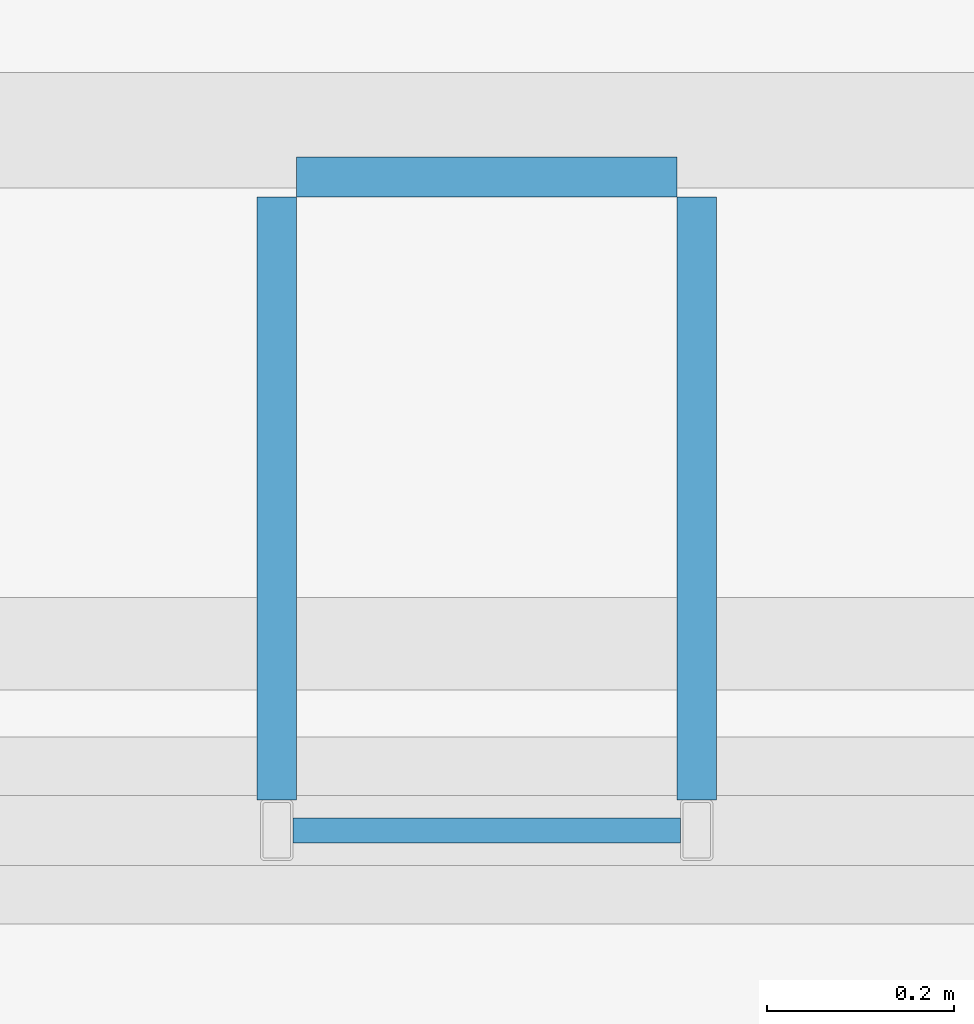
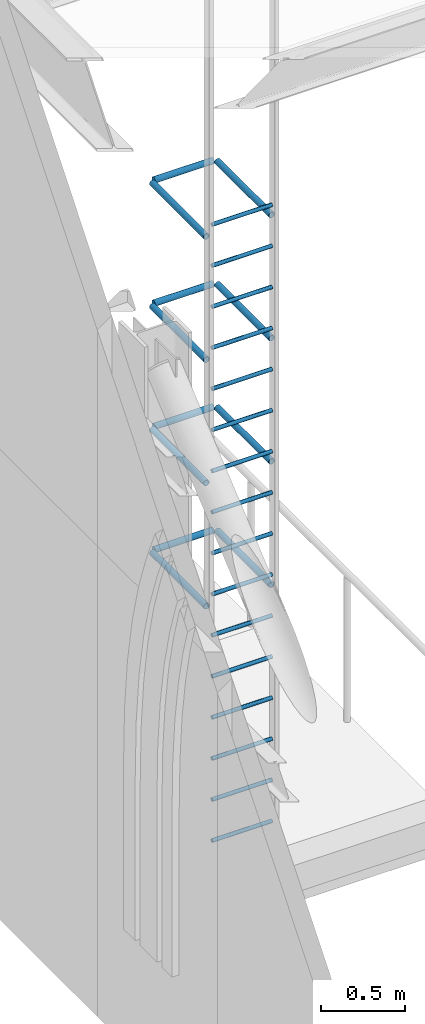
# One storey, part 12 of 43: 28 members.
"""IFC4 building model written with IfcOpenShell, lengths in metres."""

from ifc_helpers import new_model, si_unit, direction, frame, origin, origin_2d, place, context, subcontext, project, spatial, hollow_circle, extrude, material, material_profile, profile_set, type_object, element, save


model = new_model("IFC4")

# Units and contexts
model_context = context("Model", 3, precision=1e-05, world=origin(), true_north=direction((0.0, 1.0)))
body_context = subcontext(model_context, "Body", "Model", "MODEL_VIEW")
ifc_project = project(units=[si_unit("LENGTHUNIT", "METRE"), si_unit("AREAUNIT", "SQUARE_METRE"), si_unit("VOLUMEUNIT", "CUBIC_METRE"), si_unit("PLANEANGLEUNIT", "RADIAN"), si_unit("MASSUNIT", "GRAM", prefix="KILO")], contexts=[model_context])

# Site, building, storey
site_placement = place(None, origin())
site = spatial("IfcSite", under=ifc_project, at=site_placement, CompositionType="ELEMENT")
building_placement = place(site_placement, origin())
building = spatial("IfcBuilding", under=site, at=building_placement, Name="Saffron Lane Theatres", CompositionType="ELEMENT")
storey_placement = place(building_placement, frame((0.0, 0.0, 23.0)))
storey = spatial("IfcBuildingStorey", under=building, at=storey_placement, Name="Roof", CompositionType="ELEMENT", Elevation=23.0)

# Members
ifc_material_1 = material(Name="Steel Grade 350", Category="steel")
ifc_material_profile_1 = material_profile(ifc_material_1, hollow_circle(Radius=0.021240234375, WallThickness=0.002685546875, at=origin_2d()))
ifc_profile_set_1 = profile_set([ifc_material_profile_1], Name="Steel Grade 350")
member_type_1 = type_object("IfcMemberType", Name="ST-LADDER HOOP 42.4x2.6 CHS", PredefinedType="MEMBER", material=ifc_profile_set_1)
for number, where, z_axis, x_axis, name in (
    (1, (19.199951171875, 37.032470703125, 2.0), (0.0, 1.0, 0.0), (-1.0, 0.0, 0.0), "LH1a"),
    (2, (19.64990234375, 37.032470703125, 2.0), (0.0, 1.0, 0.0), (-1.0, 0.0, 0.0), "LH1b"),
):
    element("IfcMember", number, at=place(storey_placement, frame(where, z_axis=z_axis, x_axis=x_axis)), inside=storey, type_object=member_type_1, Name=name, PredefinedType="MEMBER", context=body_context, shape_type="SweptSolid", body=[
        extrude(hollow_circle(Radius=0.021240234375, WallThickness=0.002685546875, at=origin_2d()), origin(), (0.0, 0.0, 1.0), 0.646240234375),
    ])
member_1_placement = place(storey_placement, frame((19.22119140625, 37.699951171875, 2.0), z_axis=(1.0, 0.0, 0.0), x_axis=(0.0, 1.0, 0.0)))
element("IfcMember", 3, at=member_1_placement, inside=storey, type_object=member_type_1, Name="LH1c", PredefinedType="MEMBER", context=body_context, shape_type="SweptSolid", body=[
    extrude(hollow_circle(Radius=0.021240234375, WallThickness=0.002685546875, at=origin_2d()), origin(), (0.0, 0.0, 1.0), 0.40771484375),
])
for number, where, z_axis, x_axis, name in (
    (4, (19.199951171875, 37.032470703125, 2.89990234375), (0.0, 1.0, 0.0), (-1.0, 0.0, 0.0), "LH2a"),
    (5, (19.64990234375, 37.032470703125, 2.89990234375), (0.0, 1.0, 0.0), (-1.0, 0.0, 0.0), "LH2b"),
):
    element("IfcMember", number, at=place(storey_placement, frame(where, z_axis=z_axis, x_axis=x_axis)), inside=storey, type_object=member_type_1, Name=name, PredefinedType="MEMBER", context=body_context, shape_type="SweptSolid", body=[
        extrude(hollow_circle(Radius=0.021240234375, WallThickness=0.002685546875, at=origin_2d()), origin(), (0.0, 0.0, 1.0), 0.646240234375),
    ])
member_2_placement = place(storey_placement, frame((19.22119140625, 37.699951171875, 2.89990234375), z_axis=(1.0, 0.0, 0.0), x_axis=(0.0, 1.0, 0.0)))
element("IfcMember", 6, at=member_2_placement, inside=storey, type_object=member_type_1, Name="LH2c", PredefinedType="MEMBER", context=body_context, shape_type="SweptSolid", body=[
    extrude(hollow_circle(Radius=0.021240234375, WallThickness=0.002685546875, at=origin_2d()), origin(), (0.0, 0.0, 1.0), 0.40771484375),
])
for number, where, z_axis, x_axis, name in (
    (7, (19.199951171875, 37.032470703125, 3.800048828125), (0.0, 1.0, 0.0), (-1.0, 0.0, 0.0), "LH3a"),
    (8, (19.64990234375, 37.032470703125, 3.800048828125), (0.0, 1.0, 0.0), (-1.0, 0.0, 0.0), "LH3b"),
):
    element("IfcMember", number, at=place(storey_placement, frame(where, z_axis=z_axis, x_axis=x_axis)), inside=storey, type_object=member_type_1, Name=name, PredefinedType="MEMBER", context=body_context, shape_type="SweptSolid", body=[
        extrude(hollow_circle(Radius=0.021240234375, WallThickness=0.002685546875, at=origin_2d()), origin(), (0.0, 0.0, 1.0), 0.646240234375),
    ])
member_3_placement = place(storey_placement, frame((19.22119140625, 37.699951171875, 3.800048828125), z_axis=(1.0, 0.0, 0.0), x_axis=(0.0, 1.0, 0.0)))
element("IfcMember", 9, at=member_3_placement, inside=storey, type_object=member_type_1, Name="LH3c", PredefinedType="MEMBER", context=body_context, shape_type="SweptSolid", body=[
    extrude(hollow_circle(Radius=0.021240234375, WallThickness=0.002685546875, at=origin_2d()), origin(), (0.0, 0.0, 1.0), 0.40771484375),
])
for number, where, z_axis, x_axis, name in (
    (10, (19.199951171875, 37.032470703125, 4.699951171875), (0.0, 1.0, 0.0), (-1.0, 0.0, 0.0), "LH4a"),
    (11, (19.64990234375, 37.032470703125, 4.699951171875), (0.0, 1.0, 0.0), (-1.0, 0.0, 0.0), "LH4b"),
):
    element("IfcMember", number, at=place(storey_placement, frame(where, z_axis=z_axis, x_axis=x_axis)), inside=storey, type_object=member_type_1, Name=name, PredefinedType="MEMBER", context=body_context, shape_type="SweptSolid", body=[
        extrude(hollow_circle(Radius=0.021240234375, WallThickness=0.002685546875, at=origin_2d()), origin(), (0.0, 0.0, 1.0), 0.646240234375),
    ])
member_4_placement = place(storey_placement, frame((19.22119140625, 37.699951171875, 4.699951171875), z_axis=(1.0, 0.0, 0.0), x_axis=(0.0, 1.0, 0.0)))
element("IfcMember", 12, at=member_4_placement, inside=storey, type_object=member_type_1, Name="LH4c", PredefinedType="MEMBER", context=body_context, shape_type="SweptSolid", body=[
    extrude(hollow_circle(Radius=0.021240234375, WallThickness=0.002685546875, at=origin_2d()), origin(), (0.0, 0.0, 1.0), 0.40771484375),
])
ifc_material_2 = material(Name="Steel Grade 350", Category="steel")
ifc_material_profile_2 = material_profile(ifc_material_2, hollow_circle(Radius=0.013427734375, WallThickness=0.002685546875, at=origin_2d()))
ifc_profile_set_2 = profile_set([ifc_material_profile_2], Name="Steel Grade 350")
member_type_2 = type_object("IfcMemberType", Name="ST-LADDER RUNG 26.9x2.6 CHS", PredefinedType="STRUT", material=ifc_profile_set_2)
for number, where, z_axis, x_axis, name in (
    (13, (19.217529296875, 37.0, 0.300048828125), (1.0, 0.0, 0.0), (0.0, 1.0, 0.0), "LR1"),
    (14, (19.217529296875, 37.0, 0.60009765625), (1.0, 0.0, 0.0), (0.0, 1.0, 0.0), "LR2"),
    (15, (19.217529296875, 37.0, 0.89990234375), (1.0, 0.0, 0.0), (0.0, 1.0, 0.0), "LR3"),
    (16, (19.217529296875, 37.0, 1.199951171875), (1.0, 0.0, 0.0), (0.0, 1.0, 0.0), "LR4"),
    (17, (19.217529296875, 37.0, 1.5), (1.0, 0.0, 0.0), (0.0, 1.0, 0.0), "LR5"),
    (18, (19.217529296875, 37.0, 1.800048828125), (1.0, 0.0, 0.0), (0.0, 1.0, 0.0), "LR6"),
    (19, (19.217529296875, 37.0, 2.10009765625), (1.0, 0.0, 0.0), (0.0, 1.0, 0.0), "LR7"),
    (20, (19.217529296875, 37.0, 2.39990234375), (1.0, 0.0, 0.0), (0.0, 1.0, 0.0), "LR8"),
    (21, (19.217529296875, 37.0, 2.699951171875), (1.0, 0.0, 0.0), (0.0, 1.0, 0.0), "LR9"),
    (22, (19.217529296875, 37.0, 3.0), (1.0, 0.0, 0.0), (0.0, 1.0, 0.0), "LR10"),
    (23, (19.217529296875, 37.0, 3.300048828125), (1.0, 0.0, 0.0), (0.0, 1.0, 0.0), "LR11"),
    (24, (19.217529296875, 37.0, 3.60009765625), (1.0, 0.0, 0.0), (0.0, 1.0, 0.0), "LR12"),
    (25, (19.217529296875, 37.0, 3.89990234375), (1.0, 0.0, 0.0), (0.0, 1.0, 0.0), "LR13"),
    (26, (19.217529296875, 37.0, 4.199951171875), (1.0, 0.0, 0.0), (0.0, 1.0, 0.0), "LR14"),
    (27, (19.217529296875, 37.0, 4.5), (1.0, 0.0, 0.0), (0.0, 1.0, 0.0), "LR15"),
    (28, (19.217529296875, 37.0, 4.800048828125), (1.0, 0.0, 0.0), (0.0, 1.0, 0.0), "LR16"),
):
    element("IfcMember", number, at=place(storey_placement, frame(where, z_axis=z_axis, x_axis=x_axis)), inside=storey, type_object=member_type_2, Name=name, PredefinedType="STRUT", context=body_context, shape_type="SweptSolid", body=[
        extrude(hollow_circle(Radius=0.013427734375, WallThickness=0.002685546875, at=origin_2d()), origin(), (0.0, 0.0, 1.0), 0.4150390625),
    ])

save(model, "model.ifc")
